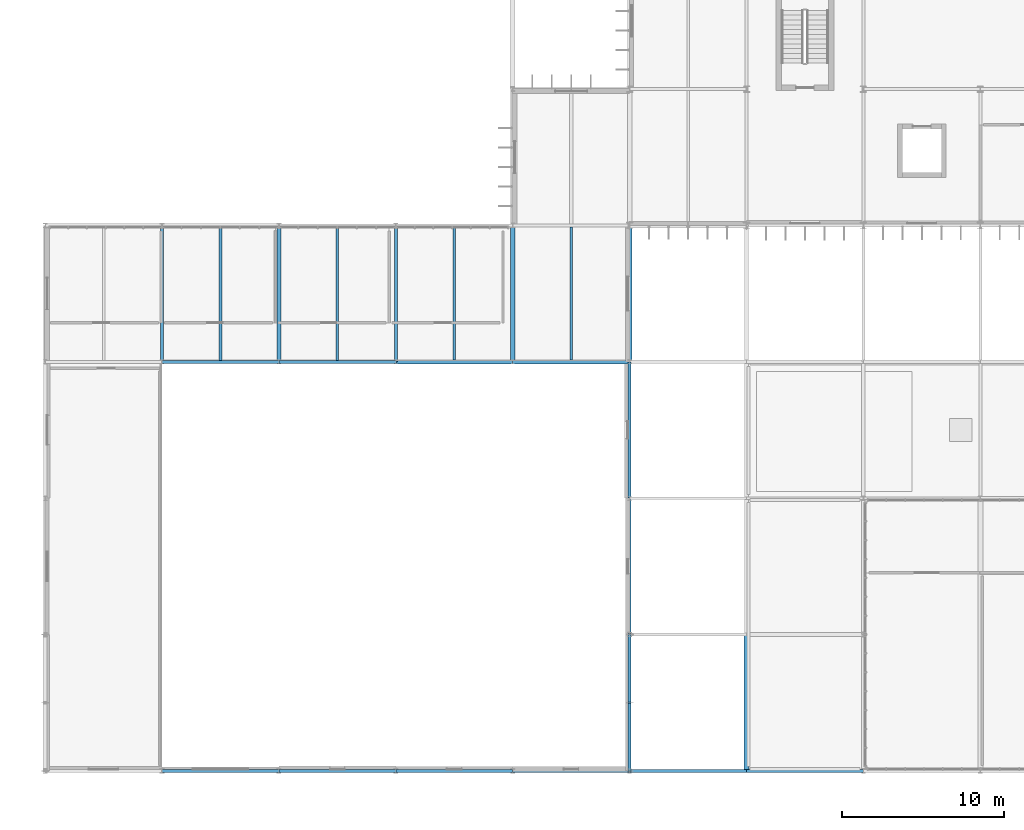
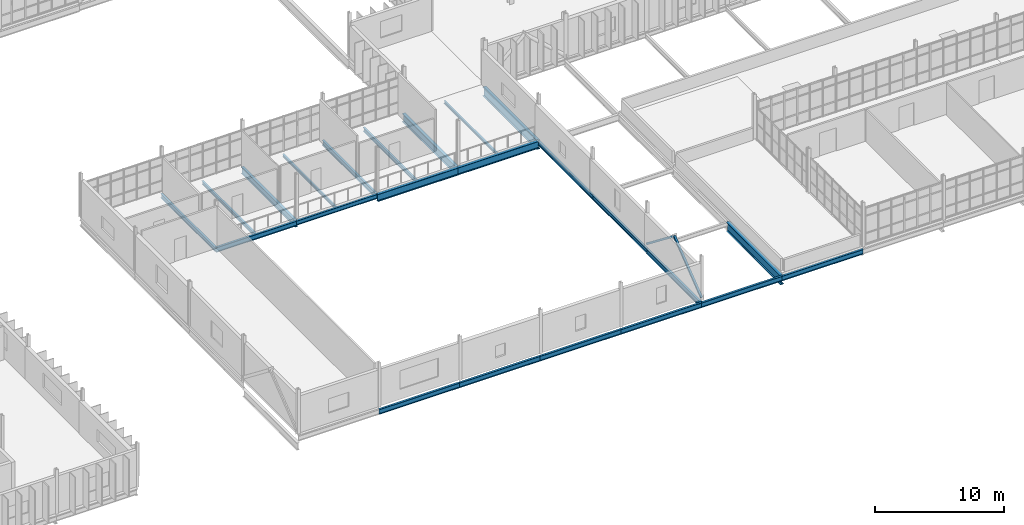
# One storey, part 31 of 119: 23 beams, 2 members.
"""IFC4 building model written with IfcOpenShell, lengths in metres."""

from ifc_helpers import new_model, si_unit, direction, frame, origin, origin_2d, place, context, subcontext, project, spatial, hollow_rectangle, i_section, extrude, material, material_profile, profile_set, type_object, element, save


model = new_model("IFC4")

# Units and contexts
model_context = context("Model", 3, precision=1e-05, world=origin(), true_north=direction((0.0, 1.0)))
body_context = subcontext(model_context, "Body", "Model", "MODEL_VIEW")
ifc_project = project(units=[si_unit("LENGTHUNIT", "METRE"), si_unit("AREAUNIT", "SQUARE_METRE"), si_unit("VOLUMEUNIT", "CUBIC_METRE"), si_unit("PLANEANGLEUNIT", "RADIAN"), si_unit("MASSUNIT", "GRAM", prefix="KILO")], contexts=[model_context])

# Site, building, storey
site_placement = place(None, origin())
site = spatial("IfcSite", under=ifc_project, at=site_placement, CompositionType="ELEMENT")
building_placement = place(site_placement, origin())
building = spatial("IfcBuilding", under=site, at=building_placement, Name="Qelthora Terrace Specialist Clinic", CompositionType="ELEMENT")
storey_placement = place(building_placement, frame((0.0, 0.0, 4.800048828125)))
storey = spatial("IfcBuildingStorey", under=building, at=storey_placement, Name="L01", CompositionType="ELEMENT", Elevation=4.800048828125)

# Beams
ifc_material = material(Name="Steel S355", Category="steel")
ifc_material_profile_1 = material_profile(ifc_material, i_section(OverallWidth=0.178955078125, OverallDepth=0.409912109375, WebThickness=0.0087890625, FlangeThickness=0.014404296875, FilletRadius=0.011962890625, at=origin_2d()), Name="W410X67")
ifc_profile_set_1 = profile_set([ifc_material_profile_1], Name="Steel S355")
beam_type_1 = type_object("IfcBeamType", Name="BM-W410X67", PredefinedType="BEAM", material=ifc_profile_set_1)
beam_1_placement = place(storey_placement, frame((72.0, 25.199951171875, -0.455078125), z_axis=(1.0, 0.0, 0.0), x_axis=(0.0, 1.0, 0.0)))
element("IfcBeam", 1, at=beam_1_placement, inside=storey, type_object=beam_type_1, Name="Girder BMX-L01-0182", PredefinedType="BEAM", context=body_context, shape_type="SweptSolid", body=[
    extrude(i_section(OverallWidth=0.178955078125, OverallDepth=0.409912109375, WebThickness=0.0087890625, FlangeThickness=0.014404296875, FilletRadius=0.011962890625, at=origin_2d()), origin(), (0.0, 0.0, 1.0), 7.199951171875),
])
beam_2_placement = place(storey_placement, frame((64.800048828125, 25.199951171875, -0.455078125), z_axis=(0.0, 1.0, 0.0), x_axis=(-1.0, 0.0, 0.0)))
element("IfcBeam", 2, at=beam_2_placement, inside=storey, type_object=beam_type_1, Name="Girder BMY-L01-0430", PredefinedType="BEAM", context=body_context, shape_type="SweptSolid", body=[
    extrude(i_section(OverallWidth=0.178955078125, OverallDepth=0.409912109375, WebThickness=0.0087890625, FlangeThickness=0.014404296875, FilletRadius=0.011962890625, at=origin_2d()), origin(), (0.0, 0.0, 1.0), 8.400146484375),
])
beam_3_placement = place(storey_placement, frame((93.60009765625, 16.800048828125, -0.455078125), z_axis=(0.0, 1.0, 0.0), x_axis=(-1.0, 0.0, 0.0)))
element("IfcBeam", 3, at=beam_3_placement, inside=storey, type_object=beam_type_1, Name="Girder BMY-L01-0450", PredefinedType="BEAM", context=body_context, shape_type="SweptSolid", body=[
    extrude(i_section(OverallWidth=0.178955078125, OverallDepth=0.409912109375, WebThickness=0.0087890625, FlangeThickness=0.014404296875, FilletRadius=0.011962890625, at=origin_2d()), origin(), (0.0, 0.0, 1.0), 8.39990234375),
])
ifc_material_profile_2 = material_profile(ifc_material, i_section(OverallWidth=0.179931640625, OverallDepth=0.4130859375, WebThickness=0.009765625, FlangeThickness=0.01611328125, FilletRadius=0.011962890625, at=origin_2d()), Name="W410X75")
ifc_profile_set_2 = profile_set([ifc_material_profile_2], Name="Steel S355")
beam_type_2 = type_object("IfcBeamType", Name="BM-W410X75", PredefinedType="BEAM", material=ifc_profile_set_2)
beam_4_placement = place(storey_placement, frame((93.60009765625, 8.39990234375, -0.45654296875), z_axis=(0.0, 1.0, 0.0), x_axis=(-1.0, 0.0, 0.0)))
element("IfcBeam", 4, at=beam_4_placement, inside=storey, type_object=beam_type_2, Name="Girder BMY-L01-0449", PredefinedType="BEAM", context=body_context, shape_type="SweptSolid", body=[
    extrude(i_section(OverallWidth=0.179931640625, OverallDepth=0.4130859375, WebThickness=0.009765625, FlangeThickness=0.01611328125, FilletRadius=0.011962890625, at=origin_2d()), origin(), (0.0, 0.0, 1.0), 8.400146484375),
])
ifc_material_profile_3 = material_profile(ifc_material, i_section(OverallWidth=0.19091796875, OverallDepth=0.4599609375, WebThickness=0.010009765625, FlangeThickness=0.01611328125, FilletRadius=0.012939453125, at=origin_2d()), Name="W460X82")
ifc_profile_set_3 = profile_set([ifc_material_profile_3], Name="Steel S355")
beam_type_3 = type_object("IfcBeamType", Name="BM-W460X82", PredefinedType="BEAM", material=ifc_profile_set_3)
beam_5_placement = place(storey_placement, frame((64.800048828125, 25.199951171875, -0.47998046875), z_axis=(1.0, 0.0, 0.0), x_axis=(0.0, 1.0, 0.0)))
element("IfcBeam", 5, at=beam_5_placement, inside=storey, type_object=beam_type_3, Name="Girder BMX-L01-0181", PredefinedType="BEAM", context=body_context, shape_type="SweptSolid", body=[
    extrude(i_section(OverallWidth=0.19091796875, OverallDepth=0.4599609375, WebThickness=0.010009765625, FlangeThickness=0.01611328125, FilletRadius=0.012939453125, at=origin_2d()), origin(), (0.0, 0.0, 1.0), 7.199951171875),
])
beam_6_placement = place(storey_placement, frame((79.199951171875, 25.199951171875, -0.47998046875), z_axis=(0.0, 1.0, 0.0), x_axis=(-1.0, 0.0, 0.0)))
element("IfcBeam", 6, at=beam_6_placement, inside=storey, type_object=beam_type_3, Name="Girder BMY-L01-0438", PredefinedType="BEAM", context=body_context, shape_type="SweptSolid", body=[
    extrude(i_section(OverallWidth=0.19091796875, OverallDepth=0.4599609375, WebThickness=0.010009765625, FlangeThickness=0.01611328125, FilletRadius=0.012939453125, at=origin_2d()), origin(), (0.0, 0.0, 1.0), 8.400146484375),
])
beam_7_placement = place(storey_placement, frame((93.60009765625, 0.0, -0.47998046875), z_axis=(0.0, 1.0, 0.0), x_axis=(-1.0, 0.0, 0.0)))
element("IfcBeam", 7, at=beam_7_placement, inside=storey, type_object=beam_type_3, Name="Girder BMY-L01-0448", PredefinedType="BEAM", context=body_context, shape_type="SweptSolid", body=[
    extrude(i_section(OverallWidth=0.19091796875, OverallDepth=0.4599609375, WebThickness=0.010009765625, FlangeThickness=0.01611328125, FilletRadius=0.012939453125, at=origin_2d()), origin(), (0.0, 0.0, 1.0), 8.39990234375),
])
ifc_material_profile_4 = material_profile(ifc_material, i_section(OverallWidth=0.22998046875, OverallDepth=0.616943359375, WebThickness=0.01318359375, FlangeThickness=0.022216796875, FilletRadius=0.01611328125, at=origin_2d()), Name="W610X140")
ifc_profile_set_4 = profile_set([ifc_material_profile_4], Name="Steel S355")
beam_type_4 = type_object("IfcBeamType", Name="BM-W610X140", PredefinedType="BEAM", material=ifc_profile_set_4)
beam_8_placement = place(storey_placement, frame((72.0, 25.199951171875, -0.55859375), z_axis=(0.0, 1.0, 0.0), x_axis=(-1.0, 0.0, 0.0)))
element("IfcBeam", 8, at=beam_8_placement, inside=storey, type_object=beam_type_4, Name="Girder BMY-L01-0434", PredefinedType="BEAM", context=body_context, shape_type="SweptSolid", body=[
    extrude(i_section(OverallWidth=0.22998046875, OverallDepth=0.616943359375, WebThickness=0.01318359375, FlangeThickness=0.022216796875, FilletRadius=0.01611328125, at=origin_2d()), origin(), (0.0, 0.0, 1.0), 8.400146484375),
])
ifc_material_profile_5 = material_profile(ifc_material, i_section(OverallWidth=0.25390625, OverallDepth=0.68798828125, WebThickness=0.01318359375, FlangeThickness=0.02099609375, FilletRadius=0.01806640625, at=origin_2d()), Name="W690X152")
ifc_profile_set_5 = profile_set([ifc_material_profile_5], Name="Steel S355")
beam_type_5 = type_object("IfcBeamType", Name="BM-W690X152", PredefinedType="BEAM", material=ifc_profile_set_5)
beam_9_placement = place(storey_placement, frame((86.39990234375, 25.199951171875, -0.593994140625), z_axis=(1.0, 0.0, 0.0), x_axis=(0.0, 1.0, 0.0)))
element("IfcBeam", 9, at=beam_9_placement, inside=storey, type_object=beam_type_5, Name="Girder BMX-L01-0184", PredefinedType="BEAM", context=body_context, shape_type="SweptSolid", body=[
    extrude(i_section(OverallWidth=0.25390625, OverallDepth=0.68798828125, WebThickness=0.01318359375, FlangeThickness=0.02099609375, FilletRadius=0.01806640625, at=origin_2d()), origin(), (0.0, 0.0, 1.0), 7.2001953125),
])
ifc_material_profile_6 = material_profile(ifc_material, i_section(OverallWidth=0.256103515625, OverallDepth=0.693115234375, WebThickness=0.014404296875, FlangeThickness=0.023681640625, FilletRadius=0.01806640625, at=origin_2d()), Name="W690X170")
ifc_profile_set_6 = profile_set([ifc_material_profile_6], Name="Steel S355")
beam_type_6 = type_object("IfcBeamType", Name="BM-W690X170", PredefinedType="BEAM", material=ifc_profile_set_6)
beam_10_placement = place(storey_placement, frame((79.199951171875, 25.199951171875, -0.596435546875), z_axis=(1.0, 0.0, 0.0), x_axis=(0.0, 1.0, 0.0)))
element("IfcBeam", 10, at=beam_10_placement, inside=storey, type_object=beam_type_6, Name="Girder BMX-L01-0183", PredefinedType="BEAM", context=body_context, shape_type="SweptSolid", body=[
    extrude(i_section(OverallWidth=0.256103515625, OverallDepth=0.693115234375, WebThickness=0.014404296875, FlangeThickness=0.023681640625, FilletRadius=0.01806640625, at=origin_2d()), origin(), (0.0, 0.0, 1.0), 7.199951171875),
])
ifc_material_profile_7 = material_profile(ifc_material, i_section(OverallWidth=0.26806640625, OverallDepth=0.77001953125, WebThickness=0.015625, FlangeThickness=0.025390625, FilletRadius=0.01904296875, at=origin_2d()), Name="W760X196")
ifc_profile_set_7 = profile_set([ifc_material_profile_7], Name="Steel S355")
beam_type_7 = type_object("IfcBeamType", Name="BM-W760X196", PredefinedType="BEAM", material=ifc_profile_set_7)
beam_11_placement = place(storey_placement, frame((86.39990234375, 25.199951171875, -0.635009765625), z_axis=(0.0, 1.0, 0.0), x_axis=(-1.0, 0.0, 0.0)))
element("IfcBeam", 11, at=beam_11_placement, inside=storey, type_object=beam_type_7, Name="Girder BMY-L01-0442", PredefinedType="BEAM", context=body_context, shape_type="SweptSolid", body=[
    extrude(i_section(OverallWidth=0.26806640625, OverallDepth=0.77001953125, WebThickness=0.015625, FlangeThickness=0.025390625, FilletRadius=0.01904296875, at=origin_2d()), origin(), (0.0, 0.0, 1.0), 8.400146484375),
])
ifc_material_profile_8 = material_profile(ifc_material, i_section(OverallWidth=0.2939453125, OverallDepth=0.85107421875, WebThickness=0.01611328125, FlangeThickness=0.02685546875, FilletRadius=0.02001953125, at=origin_2d()), Name="W840X226")
ifc_profile_set_8 = profile_set([ifc_material_profile_8], Name="Steel S355")
beam_type_8 = type_object("IfcBeamType", Name="BM-W840X226", PredefinedType="BEAM", material=ifc_profile_set_8)
beam_12_placement = place(storey_placement, frame((93.60009765625, 25.199951171875, -0.675537109375), z_axis=(0.0, 1.0, 0.0), x_axis=(-1.0, 0.0, 0.0)))
element("IfcBeam", 12, at=beam_12_placement, inside=storey, type_object=beam_type_8, Name="Girder BMY-L01-0451", PredefinedType="BEAM", context=body_context, shape_type="SweptSolid", body=[
    extrude(i_section(OverallWidth=0.2939453125, OverallDepth=0.85107421875, WebThickness=0.01611328125, FlangeThickness=0.02685546875, FilletRadius=0.02001953125, at=origin_2d()), origin(), (0.0, 0.0, 1.0), 8.400146484375),
])
beam_13_placement = place(storey_placement, frame((100.800048828125, 0.0, -0.675537109375), z_axis=(0.0, 1.0, 0.0), x_axis=(-1.0, 0.0, 0.0)))
element("IfcBeam", 13, at=beam_13_placement, inside=storey, type_object=beam_type_8, Name="Girder BMY-L01-0461", PredefinedType="BEAM", context=body_context, shape_type="SweptSolid", body=[
    extrude(i_section(OverallWidth=0.2939453125, OverallDepth=0.85107421875, WebThickness=0.01611328125, FlangeThickness=0.02685546875, FilletRadius=0.02001953125, at=origin_2d()), origin(), (0.0, 0.0, 1.0), 8.39990234375),
])
ifc_material_profile_9 = material_profile(ifc_material, i_section(OverallWidth=0.14599609375, OverallDepth=0.258056640625, WebThickness=0.006103515625, FlangeThickness=0.009033203125, FilletRadius=0.009033203125, at=origin_2d()), Name="W250X33")
ifc_profile_set_9 = profile_set([ifc_material_profile_9], Name="Steel S355")
beam_type_9 = type_object("IfcBeamType", Name="JST-W250X33", PredefinedType="JOIST", material=ifc_profile_set_9)
beam_14_placement = place(storey_placement, frame((90.0, 25.326904296875, -0.379150390625), z_axis=(0.0, 1.0, 0.0), x_axis=(-1.0, 0.0, 0.0)))
element("IfcBeam", 14, at=beam_14_placement, inside=storey, type_object=beam_type_9, Name="Composite floor joist JST-L01-0102", PredefinedType="JOIST", context=body_context, shape_type="SweptSolid", body=[
    extrude(i_section(OverallWidth=0.14599609375, OverallDepth=0.258056640625, WebThickness=0.006103515625, FlangeThickness=0.009033203125, FilletRadius=0.009033203125, at=origin_2d()), origin(), (0.0, 0.0, 1.0), 8.18310546875),
])
ifc_material_profile_10 = material_profile(ifc_material, i_section(OverallWidth=0.14697265625, OverallDepth=0.261962890625, WebThickness=0.006591796875, FlangeThickness=0.01123046875, FilletRadius=0.009033203125, at=origin_2d()), Name="W250X39")
ifc_profile_set_10 = profile_set([ifc_material_profile_10], Name="Steel S355")
beam_type_10 = type_object("IfcBeamType", Name="JST-W250X39", PredefinedType="JOIST", material=ifc_profile_set_10)
beam_15_placement = place(storey_placement, frame((75.60009765625, 25.28955078125, -0.381103515625), z_axis=(0.0, 1.0, 0.0), x_axis=(-1.0, 0.0, 0.0)))
element("IfcBeam", 15, at=beam_15_placement, inside=storey, type_object=beam_type_10, Name="Composite floor joist JST-L01-0095", PredefinedType="JOIST", context=body_context, shape_type="SweptSolid", body=[
    extrude(i_section(OverallWidth=0.14697265625, OverallDepth=0.261962890625, WebThickness=0.006591796875, FlangeThickness=0.01123046875, FilletRadius=0.009033203125, at=origin_2d()), origin(), (0.0, 0.0, 1.0), 8.2138671875),
])
ifc_material_profile_11 = material_profile(ifc_material, i_section(OverallWidth=0.1669921875, OverallDepth=0.31689453125, WebThickness=0.007568359375, FlangeThickness=0.01318359375, FilletRadius=0.010009765625, at=origin_2d()), Name="W310X52")
ifc_profile_set_11 = profile_set([ifc_material_profile_11], Name="Steel S355")
beam_type_11 = type_object("IfcBeamType", Name="JST-W310X52", PredefinedType="JOIST", material=ifc_profile_set_11)
beam_16_placement = place(storey_placement, frame((68.39990234375, 25.29541015625, -0.408447265625), z_axis=(0.0, 1.0, 0.0), x_axis=(-1.0, 0.0, 0.0)))
element("IfcBeam", 16, at=beam_16_placement, inside=storey, type_object=beam_type_11, Name="Composite floor joist JST-L01-0093", PredefinedType="JOIST", context=body_context, shape_type="SweptSolid", body=[
    extrude(i_section(OverallWidth=0.1669921875, OverallDepth=0.31689453125, WebThickness=0.007568359375, FlangeThickness=0.01318359375, FilletRadius=0.010009765625, at=origin_2d()), origin(), (0.0, 0.0, 1.0), 8.19970703125),
])
ifc_material_profile_12 = material_profile(ifc_material, i_section(OverallWidth=0.172119140625, OverallDepth=0.35791015625, WebThickness=0.0078125, FlangeThickness=0.01318359375, FilletRadius=0.010986328125, at=origin_2d()), Name="W360X57")
ifc_profile_set_12 = profile_set([ifc_material_profile_12], Name="Steel S355")
beam_type_12 = type_object("IfcBeamType", Name="JST-W360X57", PredefinedType="JOIST", material=ifc_profile_set_12)
beam_17_placement = place(storey_placement, frame((82.800048828125, 25.327880859375, -0.428955078125), z_axis=(0.0, 1.0, 0.0), x_axis=(-1.0, 0.0, 0.0)))
element("IfcBeam", 17, at=beam_17_placement, inside=storey, type_object=beam_type_12, Name="Composite floor joist JST-L01-0098", PredefinedType="JOIST", context=body_context, shape_type="SweptSolid", body=[
    extrude(i_section(OverallWidth=0.172119140625, OverallDepth=0.35791015625, WebThickness=0.0078125, FlangeThickness=0.01318359375, FilletRadius=0.010986328125, at=origin_2d()), origin(), (0.0, 0.0, 1.0), 8.176513671875),
])

# Members
ifc_material_profile_13 = material_profile(ifc_material, hollow_rectangle(XDim=0.179931640625, YDim=0.179931640625, WallThickness=0.010009765625, at=origin_2d()), Name="HSS180X180X10")
ifc_profile_set_13 = profile_set([ifc_material_profile_13], Name="Steel S355")
member_type = type_object("IfcMemberType", Name="MEM-BRACE-HSS180", PredefinedType="BRACE", material=ifc_profile_set_13)
for number, where, z_axis, x_axis, name in (
    (18, (93.60009765625, 0.0, 0.179931640625), (0.0, 0.789043399971, 0.614337458537), (-1.0, 0.0, 0.0), "Concentric seismic chevron brace B6-L01A"),
    (19, (93.60009765625, 8.39990234375, 0.179931640625), (0.0, -0.789043399971, 0.614337458537), (1.0, 0.0, 0.0), "Concentric seismic chevron brace B6-L01B"),
):
    element("IfcMember", number, at=place(storey_placement, frame(where, z_axis=z_axis, x_axis=x_axis)), inside=storey, type_object=member_type, Name=name, PredefinedType="BRACE", context=body_context, shape_type="SweptSolid", body=[
        extrude(hollow_rectangle(XDim=0.179931640625, YDim=0.179931640625, WallThickness=0.010009765625, at=origin_2d()), origin(), (0.0, 0.0, 1.0), 5.32275390625),
    ])

# Beams
ifc_material_profile_14 = material_profile(ifc_material, i_section(OverallWidth=0.19091796875, OverallDepth=0.4599609375, WebThickness=0.010009765625, FlangeThickness=0.01611328125, FilletRadius=0.012939453125, at=origin_2d()), Name="W460X82")
ifc_profile_set_14 = profile_set([ifc_material_profile_14], Name="Steel S355")
beam_type_13 = type_object("IfcBeamType", Name="SPD-W460X82", PredefinedType="SPANDREL", material=ifc_profile_set_14)
for number, where, z_axis, x_axis, name in (
    (20, (64.800048828125, 0.0, -0.47998046875), (1.0, 0.0, 0.0), (0.0, 1.0, 0.0), "Girder BMX-L01-0134"),
    (21, (72.0, 0.0, -0.47998046875), (1.0, 0.0, 0.0), (0.0, 1.0, 0.0), "Girder BMX-L01-0135"),
    (22, (79.199951171875, 0.0, -0.47998046875), (1.0, 0.0, 0.0), (0.0, 1.0, 0.0), "Girder BMX-L01-0136"),
):
    element("IfcBeam", number, at=place(storey_placement, frame(where, z_axis=z_axis, x_axis=x_axis)), inside=storey, type_object=beam_type_13, Name=name, PredefinedType="SPANDREL", context=body_context, shape_type="SweptSolid", body=[
        extrude(i_section(OverallWidth=0.19091796875, OverallDepth=0.4599609375, WebThickness=0.010009765625, FlangeThickness=0.01611328125, FilletRadius=0.012939453125, at=origin_2d()), origin(), (0.0, 0.0, 1.0), 7.199951171875),
    ])
beam_18_placement = place(storey_placement, frame((86.39990234375, 0.0, -0.47998046875), z_axis=(1.0, 0.0, 0.0), x_axis=(0.0, 1.0, 0.0)))
element("IfcBeam", 23, at=beam_18_placement, inside=storey, type_object=beam_type_13, Name="Girder BMX-L01-0137", PredefinedType="SPANDREL", context=body_context, shape_type="SweptSolid", body=[
    extrude(i_section(OverallWidth=0.19091796875, OverallDepth=0.4599609375, WebThickness=0.010009765625, FlangeThickness=0.01611328125, FilletRadius=0.012939453125, at=origin_2d()), origin(), (0.0, 0.0, 1.0), 7.2001953125),
])
for number, where, z_axis, x_axis, name in (
    (24, (93.60009765625, 0.0, -0.47998046875), (1.0, 0.0, 0.0), (0.0, 1.0, 0.0), "Girder BMX-L01-0138"),
    (25, (100.800048828125, 0.0, -0.47998046875), (1.0, 0.0, 0.0), (0.0, 1.0, 0.0), "Girder BMX-L01-0139"),
):
    element("IfcBeam", number, at=place(storey_placement, frame(where, z_axis=z_axis, x_axis=x_axis)), inside=storey, type_object=beam_type_13, Name=name, PredefinedType="SPANDREL", context=body_context, shape_type="SweptSolid", body=[
        extrude(i_section(OverallWidth=0.19091796875, OverallDepth=0.4599609375, WebThickness=0.010009765625, FlangeThickness=0.01611328125, FilletRadius=0.012939453125, at=origin_2d()), origin(), (0.0, 0.0, 1.0), 7.199951171875),
    ])

save(model, "model.ifc")
